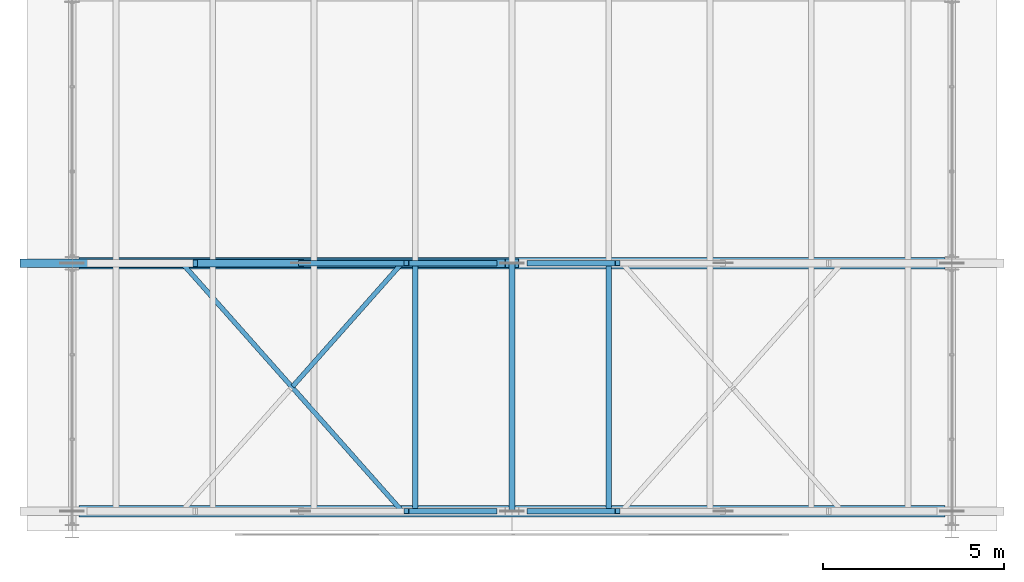
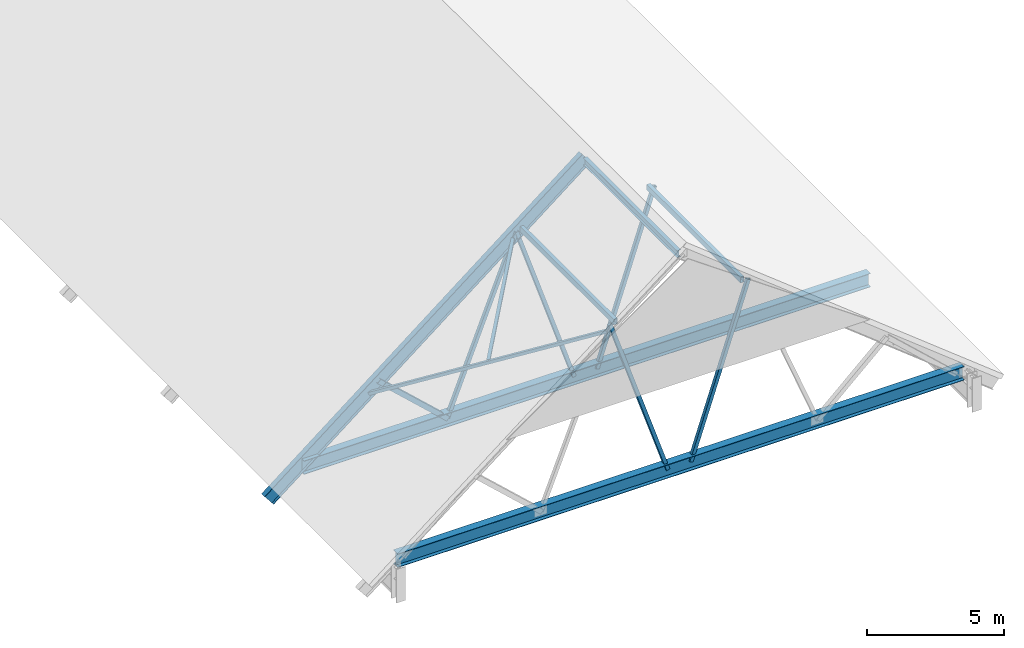
# One storey, part 6 of 44: 13 members, 1 beam.
"""IFC4 building model written with IfcOpenShell, lengths in metres."""

from ifc_helpers import new_model, si_unit, direction, frame, origin, origin_2d, place, context, subcontext, project, spatial, hollow_rectangle, i_section, extrude, material, material_profile, profile_set, type_object, element, save


model = new_model("IFC4")

# Units and contexts
model_context = context("Model", 3, precision=1e-05, world=origin(), true_north=direction((0.0, 1.0)))
body_context = subcontext(model_context, "Body", "Model", "MODEL_VIEW")
ifc_project = project(units=[si_unit("LENGTHUNIT", "METRE"), si_unit("AREAUNIT", "SQUARE_METRE"), si_unit("VOLUMEUNIT", "CUBIC_METRE"), si_unit("PLANEANGLEUNIT", "RADIAN"), si_unit("MASSUNIT", "GRAM", prefix="KILO")], contexts=[model_context])

# Site, building, storey
site_placement = place(None, origin())
site = spatial("IfcSite", under=ifc_project, at=site_placement, CompositionType="ELEMENT")
building_placement = place(site_placement, origin())
building = spatial("IfcBuilding", under=site, at=building_placement, Name="Cimatlan Art Gallery", CompositionType="ELEMENT")
storey_placement = place(building_placement, frame((0.0, 0.0, 26.39990234375)))
storey = spatial("IfcBuildingStorey", under=building, at=storey_placement, Name="Roof", CompositionType="ELEMENT", Elevation=26.39990234375)

# Beam
ifc_material_1 = material(Name="Steel ASTM A992 Grade 50", Category="steel")
ifc_material_profile_1 = material_profile(ifc_material_1, i_section(OverallWidth=0.22802734375, OverallDepth=0.60791015625, WebThickness=0.01123046875, FlangeThickness=0.017333984375, at=origin_2d()), Name="W24X76")
ifc_profile_set_1 = profile_set([ifc_material_profile_1], Name="Steel ASTM A992 Grade 50")
beam_type = type_object("IfcBeamType", Name="BM-TRS-RAF", PredefinedType="BEAM", material=ifc_profile_set_1)
beam_placement = place(storey_placement, frame((73.64990234375, 31.300048828125, 0.412353515625), z_axis=(0.78463826569, 0.0, 0.619953862812), x_axis=(0.0, 1.0, 0.0)))
element("IfcBeam", 1, at=beam_placement, inside=storey, type_object=beam_type, Name="TRS-02-RAF-W", PredefinedType="BEAM", context=body_context, shape_type="SweptSolid", body=[
    extrude(i_section(OverallWidth=0.22802734375, OverallDepth=0.60791015625, WebThickness=0.01123046875, FlangeThickness=0.017333984375, at=origin_2d()), origin(), (0.0, 0.0, 1.0), 17.078125),
])

# Members
ifc_material_2 = material(Name="Steel ASTM A500 Grade C", Category="steel")
ifc_material_profile_2 = material_profile(ifc_material_2, hollow_rectangle(XDim=0.14990234375, YDim=0.25, WallThickness=0.010009765625, at=origin_2d()), Name="HSS250X150X10")
ifc_profile_set_2 = profile_set([ifc_material_profile_2], Name="Steel ASTM A500 Grade C")
member_type_1 = type_object("IfcMemberType", Name="MBR-PUR-C250", PredefinedType="PURLIN", material=ifc_profile_set_2)
for number, where, z_axis, x_axis, name in (
    (2, (84.376953125, 24.449951171875, 8.72802734375), (0.0, 1.0, 0.0), (-1.0, 0.0, 0.0), "PUR-V1-B1-W1"),
    (3, (89.722900390625, 24.449951171875, 8.72802734375), (0.0, 1.0, 0.0), (-1.0, 0.0, 0.0), "PUR-V1-B1-E1"),
):
    element("IfcMember", number, at=place(storey_placement, frame(where, z_axis=z_axis, x_axis=x_axis)), inside=storey, type_object=member_type_1, Name=name, PredefinedType="PURLIN", context=body_context, shape_type="SweptSolid", body=[
        extrude(hollow_rectangle(XDim=0.14990234375, YDim=0.25, WallThickness=0.010009765625, at=origin_2d()), origin(), (0.0, 0.0, 1.0), 6.85009765625),
    ])
ifc_material_profile_3 = material_profile(ifc_material_1, i_section(OverallWidth=0.1650390625, OverallDepth=0.31005859375, WebThickness=0.005859375, FlangeThickness=0.009765625, at=origin_2d()), Name="W12X26")
ifc_profile_set_3 = profile_set([ifc_material_profile_3], Name="Steel ASTM A992 Grade 50")
member_type_2 = type_object("IfcMemberType", Name="MBR-PUR-W12", PredefinedType="PURLIN", material=ifc_profile_set_3)
member_1_placement = place(storey_placement, frame((87.050048828125, 24.449951171875, 10.820068359375), z_axis=(0.0, 1.0, 0.0), x_axis=(-1.0, 0.0, 0.0)))
element("IfcMember", 4, at=member_1_placement, inside=storey, type_object=member_type_2, Name="PUR-V1-B1-RDG", PredefinedType="PURLIN", context=body_context, shape_type="SweptSolid", body=[
    extrude(i_section(OverallWidth=0.1650390625, OverallDepth=0.31005859375, WebThickness=0.005859375, FlangeThickness=0.009765625, at=origin_2d()), origin(), (0.0, 0.0, 1.0), 6.85009765625),
])
ifc_material_profile_4 = material_profile(ifc_material_2, hollow_rectangle(XDim=0.1298828125, YDim=0.1298828125, WallThickness=0.008056640625, at=origin_2d()), Name="HSS130X130X8")
ifc_profile_set_4 = profile_set([ifc_material_profile_4], Name="Steel ASTM A500 Grade C")
member_type_3 = type_object("IfcMemberType", Name="MBR-TRS-BRACE", PredefinedType="BRACE", material=ifc_profile_set_4)
member_2_placement = place(storey_placement, frame((84.012451171875, 24.449951171875, 8.440185546875), z_axis=(-0.587646604667, 0.662628639382, -0.464321821901), x_axis=(-0.748169427916, -0.663507729519, 0.0)))
element("IfcMember", 5, at=member_2_placement, inside=storey, type_object=member_type_3, Name="BRC-V1-B1-W1", PredefinedType="BRACE", context=body_context, shape_type="SweptSolid", body=[
    extrude(hollow_rectangle(XDim=0.1298828125, YDim=0.1298828125, WallThickness=0.008056640625, at=origin_2d()), origin(), (0.0, 0.0, 1.0), 10.337646484375),
])
member_3_placement = place(storey_placement, frame((81.012939453125, 27.91796875, 6.070068359375), z_axis=(0.587654089215, 0.662605575281, 0.464345262746), x_axis=(-0.748153767817, 0.663525387382, 0.0)))
element("IfcMember", 6, at=member_3_placement, inside=storey, type_object=member_type_3, Name="BRC-V1-B1-W2B", PredefinedType="BRACE", context=body_context, shape_type="SweptSolid", body=[
    extrude(hollow_rectangle(XDim=0.1298828125, YDim=0.1298828125, WallThickness=0.008056640625, at=origin_2d()), origin(), (0.0, 0.0, 1.0), 5.104248046875),
])
ifc_material_profile_5 = material_profile(ifc_material_2, hollow_rectangle(XDim=0.199951171875, YDim=0.199951171875, WallThickness=0.010009765625, at=origin_2d()), Name="HSS200X200X10")
ifc_profile_set_5 = profile_set([ifc_material_profile_5], Name="Steel ASTM A500 Grade C")
member_type_4 = type_object("IfcMemberType", Name="MBR-TRS-DIAG-1", PredefinedType="BRACE", material=ifc_profile_set_5)
member_4_placement = place(storey_placement, frame((78.302001953125, 31.300048828125, 4.088134765625), z_axis=(0.735270574228, 0.0, -0.677773695768), x_axis=(0.0, 1.0, 0.0)))
element("IfcMember", 7, at=member_4_placement, inside=storey, type_object=member_type_4, Name="TRS-02-DW-2", PredefinedType="BRACE", context=body_context, shape_type="SweptSolid", body=[
    extrude(hollow_rectangle(XDim=0.199951171875, YDim=0.199951171875, WallThickness=0.010009765625, at=origin_2d()), origin(), (0.0, 0.0, 1.0), 3.9658203125),
])
ifc_material_profile_6 = material_profile(ifc_material_2, hollow_rectangle(XDim=0.14990234375, YDim=0.14990234375, WallThickness=0.008056640625, at=origin_2d()), Name="HSS150X150X8")
ifc_profile_set_6 = profile_set([ifc_material_profile_6], Name="Steel ASTM A500 Grade C")
member_type_5 = type_object("IfcMemberType", Name="MBR-TRS-DIAG-2", PredefinedType="BRACE", material=ifc_profile_set_6)
for number, where, z_axis, x_axis, name in (
    (8, (84.134033203125, 24.449951171875, 8.696044921875), (0.315989644699, 0.0, -0.948762638621), (0.0, 1.0, 0.0), "TRS-01-DW-4"),
    (9, (89.966064453125, 24.449951171875, 8.696044921875), (-0.316018222412, 0.0, -0.948753120208), (0.0, -1.0, 0.0), "TRS-01-DE-4"),
):
    element("IfcMember", number, at=place(storey_placement, frame(where, z_axis=z_axis, x_axis=x_axis)), inside=storey, type_object=member_type_5, Name=name, PredefinedType="BRACE", context=body_context, shape_type="SweptSolid", body=[
        extrude(hollow_rectangle(XDim=0.14990234375, YDim=0.14990234375, WallThickness=0.008056640625, at=origin_2d()), origin(), (0.0, 0.0, 1.0), 7.68994140625),
    ])
member_5_placement = place(storey_placement, frame((81.218017578125, 31.300048828125, 1.400146484375), z_axis=(0.371133507913, 0.0, 0.928579516953), x_axis=(0.0, 1.0, 0.0)))
element("IfcMember", 10, at=member_5_placement, inside=storey, type_object=member_type_5, Name="TRS-02-DW-3", PredefinedType="BRACE", context=body_context, shape_type="SweptSolid", body=[
    extrude(hollow_rectangle(XDim=0.14990234375, YDim=0.14990234375, WallThickness=0.008056640625, at=origin_2d()), origin(), (0.0, 0.0, 1.0), 7.85693359375),
])
for number, where, z_axis, x_axis, name in (
    (11, (84.134033203125, 31.300048828125, 8.696044921875), (0.315989644699, 0.0, -0.948762638621), (0.0, 1.0, 0.0), "TRS-02-DW-4"),
    (12, (89.966064453125, 31.300048828125, 8.696044921875), (-0.316018222412, 0.0, -0.948753120208), (0.0, -1.0, 0.0), "TRS-02-DE-4"),
):
    element("IfcMember", number, at=place(storey_placement, frame(where, z_axis=z_axis, x_axis=x_axis)), inside=storey, type_object=member_type_5, Name=name, PredefinedType="BRACE", context=body_context, shape_type="SweptSolid", body=[
        extrude(hollow_rectangle(XDim=0.14990234375, YDim=0.14990234375, WallThickness=0.008056640625, at=origin_2d()), origin(), (0.0, 0.0, 1.0), 7.68994140625),
    ])
ifc_material_profile_7 = material_profile(ifc_material_1, i_section(OverallWidth=0.323974609375, OverallDepth=0.611083984375, WebThickness=0.0126953125, FlangeThickness=0.01904296875, at=origin_2d()), Name="W24X104")
ifc_profile_set_7 = profile_set([ifc_material_profile_7], Name="Steel ASTM A992 Grade 50")
member_type_6 = type_object("IfcMemberType", Name="MBR-TRS-TIE", PredefinedType="CHORD", material=ifc_profile_set_7)
for number, where, z_axis, x_axis, name in (
    (13, (75.096923828125, 24.449951171875, 1.400146484375), (1.0, 0.0, 0.0), (0.0, 1.0, 0.0), "TRS-01-TIE"),
    (14, (75.096923828125, 31.300048828125, 1.400146484375), (1.0, 0.0, 0.0), (0.0, 1.0, 0.0), "TRS-02-TIE"),
):
    element("IfcMember", number, at=place(storey_placement, frame(where, z_axis=z_axis, x_axis=x_axis)), inside=storey, type_object=member_type_6, Name=name, PredefinedType="CHORD", context=body_context, shape_type="SweptSolid", body=[
        extrude(i_section(OverallWidth=0.323974609375, OverallDepth=0.611083984375, WebThickness=0.0126953125, FlangeThickness=0.01904296875, at=origin_2d()), origin(), (0.0, 0.0, 1.0), 23.906005859375),
    ])

save(model, "model.ifc")
